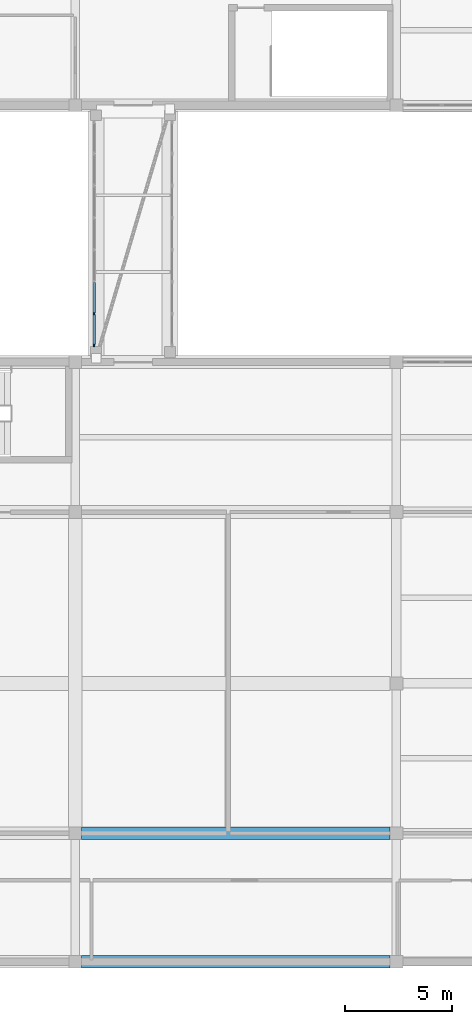
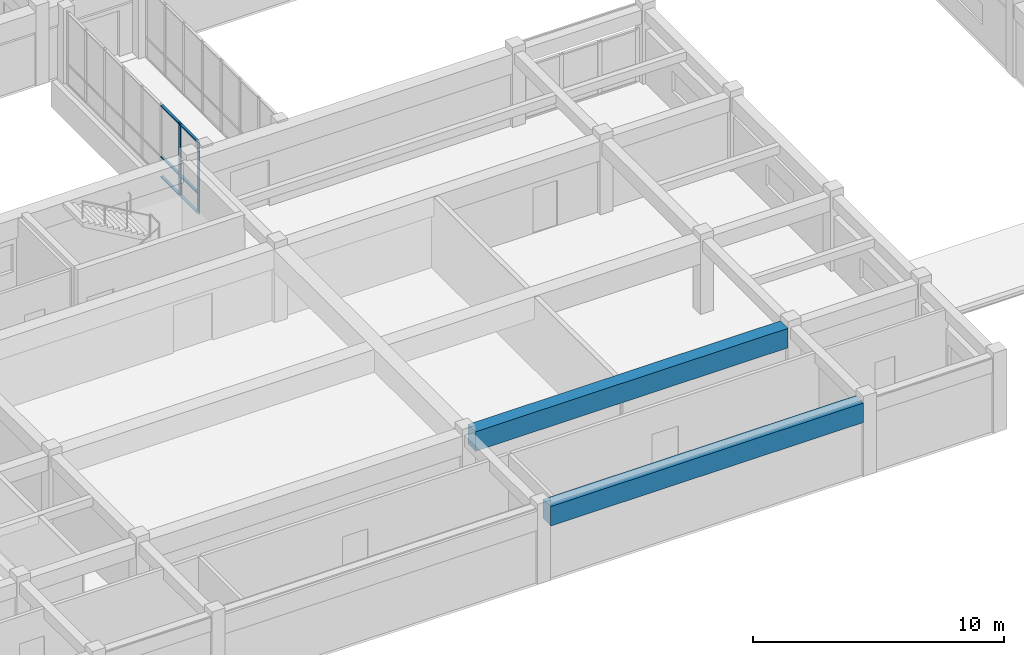
# One storey, part 6 of 66: 8 members, 2 beams, 1 element without a shape of its own.
"""IFC4 building model written with IfcOpenShell, lengths in metres."""

from ifc_helpers import new_model, si_unit, direction, frame, origin, origin_2d, place, context, subcontext, project, spatial, rectangle, extrude, material, layer, layer_set, material_profile, profile_set, type_object, element, aggregate, save


model = new_model("IFC4")

# Units and contexts
model_context = context("Model", 3, precision=1e-05, world=origin(), true_north=direction((0.0, 1.0)))
body_context = subcontext(model_context, "Body", "Model", "MODEL_VIEW")
ifc_project = project(units=[si_unit("LENGTHUNIT", "METRE"), si_unit("AREAUNIT", "SQUARE_METRE"), si_unit("VOLUMEUNIT", "CUBIC_METRE"), si_unit("PLANEANGLEUNIT", "RADIAN"), si_unit("MASSUNIT", "GRAM", prefix="KILO")], contexts=[model_context])

# Site, building, storey
site_placement = place(None, origin())
site = spatial("IfcSite", under=ifc_project, at=site_placement, CompositionType="ELEMENT")
building_placement = place(site_placement, origin())
building = spatial("IfcBuilding", under=site, at=building_placement, Name="Naurynzar Civic Courthouse", CompositionType="ELEMENT")
storey_placement = place(building_placement, frame((0.0, 0.0, 14.39990234375)))
storey = spatial("IfcBuildingStorey", under=building, at=storey_placement, Name="L04", CompositionType="ELEMENT", Elevation=14.39990234375)

# Beams
ifc_material_1 = material(Name="Concrete C40/50", Category="concrete")
ifc_material_profile_1 = material_profile(ifc_material_1, rectangle(XDim=0.60009765625, YDim=0.949951171875, at=origin_2d()), Name="PTB 600x950")
ifc_profile_set_1 = profile_set([ifc_material_profile_1], Name="Concrete C40/50")
beam_type = type_object("IfcBeamType", Name="BM-PT-600x950", PredefinedType="T_BEAM", material=ifc_profile_set_1)
for number, where, z_axis, x_axis, name in (
    (1, (35.300048828125, 4.0, 3.10498046875), (1.0, 0.0, 0.0), (0.0, 1.0, 0.0), "V4 beam X-1914 L04"),
    (2, (35.300048828125, 10.0, 3.10498046875), (1.0, 0.0, 0.0), (0.0, 1.0, 0.0), "V4 beam X-1919 L04"),
):
    element("IfcBeam", number, at=place(storey_placement, frame(where, z_axis=z_axis, x_axis=x_axis)), inside=storey, type_object=beam_type, Name=name, PredefinedType="T_BEAM", context=body_context, shape_type="SweptSolid", body=[
        extrude(rectangle(XDim=0.60009765625, YDim=0.949951171875, at=origin_2d()), origin(), (0.0, 0.0, 1.0), 14.39990234375),
    ])

# Curtain wall, members
ifc_material_2 = material(Name="Aluminium 6063-T6", Category="aluminium")
ifc_layer = layer(ifc_material_2, 0.14990234375)
ifc_layer_set = layer_set([ifc_layer], Name="CW-BRIDGE-1500")
curtain_wall_type = type_object("IfcCurtainWallType", Name="CW-BRIDGE-1500", PredefinedType="USERDEFINED", material=ifc_layer_set)
curtain_wall_placement = place(storey_placement, origin())
curtain_wall = element("IfcCurtainWall", 3, at=curtain_wall_placement, inside=storey, type_object=curtain_wall_type, Name="BR-W1 glazed bridge screen L04.1", ObjectType="GLAZED BRIDGE SCREEN", PredefinedType="USERDEFINED")
ifc_material_3 = material(Name="Aluminium 6063-T6", Category="aluminium")
ifc_material_profile_2 = material_profile(ifc_material_3, rectangle(XDim=0.06005859375, YDim=0.14990234375, at=origin_2d()), Name="ALU MULLION 60x150")
ifc_profile_set_2 = profile_set([ifc_material_profile_2], Name="Aluminium 6063-T6")
member_type_1 = type_object("IfcMemberType", Name="CWM-60x150", PredefinedType="MULLION", material=ifc_profile_set_2)
member_1_placement = place(storey_placement, frame((35.8798828125, 34.257080078125, 0.0), z_axis=(0.0, 0.0, 1.0), x_axis=(1.0, 0.0, 0.0)))
member_1 = element("IfcMember", 4, at=member_1_placement, type_object=member_type_1, Name="CW-03 mullion 7", PredefinedType="MULLION", context=body_context, shape_type="SweptSolid", body=[
    extrude(rectangle(XDim=0.06005859375, YDim=0.14990234375, at=origin_2d()), origin(), (0.0, 0.0, 1.0), 3.52001953125),
])
member_2_placement = place(storey_placement, frame((35.8798828125, 32.7900390625, 0.0), z_axis=(0.0, 0.0, 1.0), x_axis=(1.0, 0.0, 0.0)))
member_2 = element("IfcMember", 5, at=member_2_placement, type_object=member_type_1, Name="CW-03 mullion 8", PredefinedType="MULLION", context=body_context, shape_type="SweptSolid", body=[
    extrude(rectangle(XDim=0.06005859375, YDim=0.14990234375, at=origin_2d()), origin(), (0.0, 0.0, 1.0), 3.52001953125),
])
ifc_material_4 = material(Name="Aluminium 6063-T6", Category="aluminium")
ifc_material_profile_3 = material_profile(ifc_material_4, rectangle(XDim=0.110107421875, YDim=0.06005859375, at=origin_2d()), Name="ALU TRANSOM 60x110")
ifc_profile_set_3 = profile_set([ifc_material_profile_3], Name="Aluminium 6063-T6")
member_type_2 = type_object("IfcMemberType", Name="CWT-60x110", PredefinedType="USERDEFINED", material=ifc_profile_set_3)
member_3_placement = place(storey_placement, frame((35.8798828125, 35.724365234375, 0.030029296875), z_axis=(0.0, -1.0, 0.0), x_axis=(1.0, 0.0, 0.0)))
member_3 = element("IfcMember", 6, at=member_3_placement, type_object=member_type_2, Name="CW-03 transom 6.1", ObjectType="TRANSOM", PredefinedType="USERDEFINED", context=body_context, shape_type="SweptSolid", body=[
    extrude(rectangle(XDim=0.110107421875, YDim=0.06005859375, at=origin_2d()), origin(), (0.0, 0.0, 1.0), 1.437255859375),
])
member_4_placement = place(storey_placement, frame((35.8798828125, 35.724365234375, 1.0), z_axis=(0.0, -1.0, 0.0), x_axis=(1.0, 0.0, 0.0)))
member_4 = element("IfcMember", 7, at=member_4_placement, type_object=member_type_2, Name="CW-03 transom 6.2", ObjectType="TRANSOM", PredefinedType="USERDEFINED", context=body_context, shape_type="SweptSolid", body=[
    extrude(rectangle(XDim=0.110107421875, YDim=0.06005859375, at=origin_2d()), origin(), (0.0, 0.0, 1.0), 1.437255859375),
])
member_5_placement = place(storey_placement, frame((35.8798828125, 35.724365234375, 3.489990234375), z_axis=(0.0, -1.0, 0.0), x_axis=(1.0, 0.0, 0.0)))
member_5 = element("IfcMember", 8, at=member_5_placement, type_object=member_type_2, Name="CW-03 transom 6.3", ObjectType="TRANSOM", PredefinedType="USERDEFINED", context=body_context, shape_type="SweptSolid", body=[
    extrude(rectangle(XDim=0.110107421875, YDim=0.06005859375, at=origin_2d()), origin(), (0.0, 0.0, 1.0), 1.437255859375),
])
member_6_placement = place(storey_placement, frame((35.8798828125, 34.22705078125, 0.030029296875), z_axis=(0.0, -1.0, 0.0), x_axis=(1.0, 0.0, 0.0)))
member_6 = element("IfcMember", 9, at=member_6_placement, type_object=member_type_2, Name="CW-03 transom 7.1", ObjectType="TRANSOM", PredefinedType="USERDEFINED", context=body_context, shape_type="SweptSolid", body=[
    extrude(rectangle(XDim=0.110107421875, YDim=0.06005859375, at=origin_2d()), origin(), (0.0, 0.0, 1.0), 1.406982421875),
])
member_7_placement = place(storey_placement, frame((35.8798828125, 34.22705078125, 1.0), z_axis=(0.0, -1.0, 0.0), x_axis=(1.0, 0.0, 0.0)))
member_7 = element("IfcMember", 10, at=member_7_placement, type_object=member_type_2, Name="CW-03 transom 7.2", ObjectType="TRANSOM", PredefinedType="USERDEFINED", context=body_context, shape_type="SweptSolid", body=[
    extrude(rectangle(XDim=0.110107421875, YDim=0.06005859375, at=origin_2d()), origin(), (0.0, 0.0, 1.0), 1.406982421875),
])
member_8_placement = place(storey_placement, frame((35.8798828125, 34.22705078125, 3.489990234375), z_axis=(0.0, -1.0, 0.0), x_axis=(1.0, 0.0, 0.0)))
member_8 = element("IfcMember", 11, at=member_8_placement, type_object=member_type_2, Name="CW-03 transom 7.3", ObjectType="TRANSOM", PredefinedType="USERDEFINED", context=body_context, shape_type="SweptSolid", body=[
    extrude(rectangle(XDim=0.110107421875, YDim=0.06005859375, at=origin_2d()), origin(), (0.0, 0.0, 1.0), 1.406982421875),
])
aggregate(curtain_wall, [member_1, member_2, member_3, member_4, member_5, member_6, member_7, member_8])

save(model, "model.ifc")
